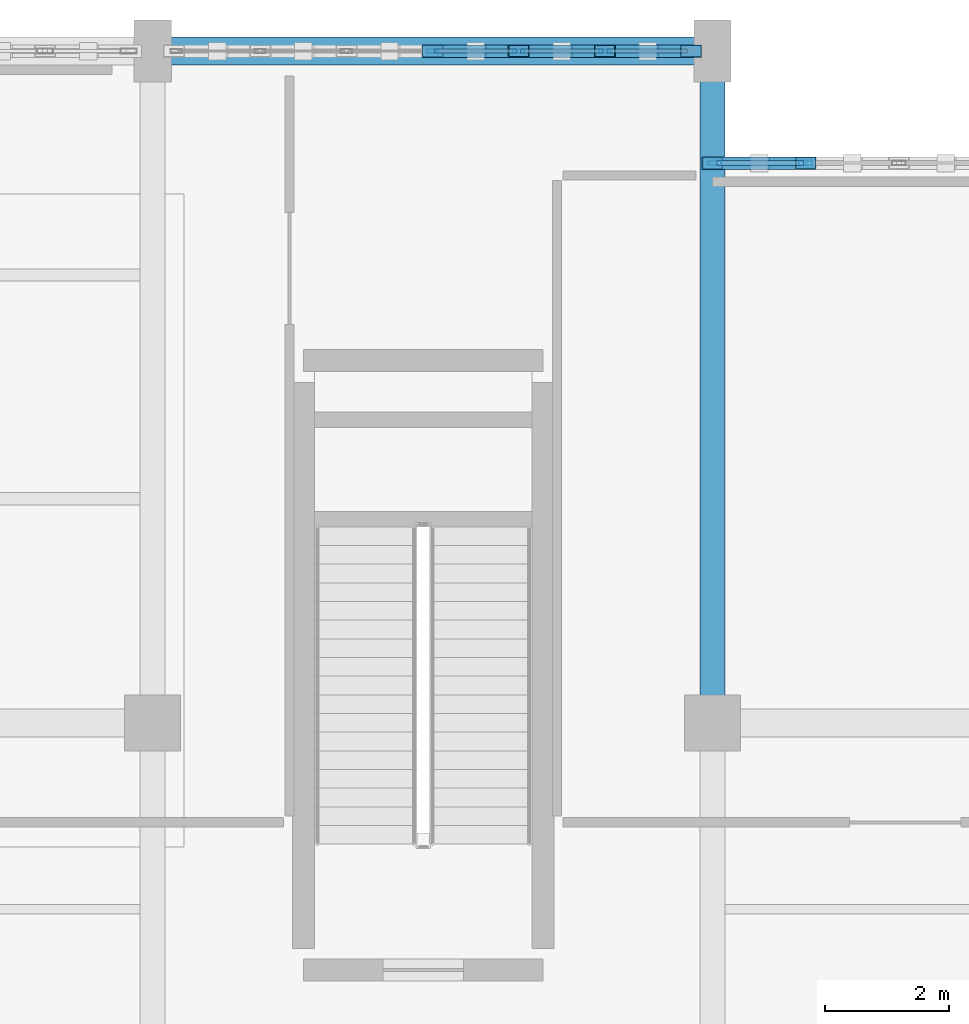
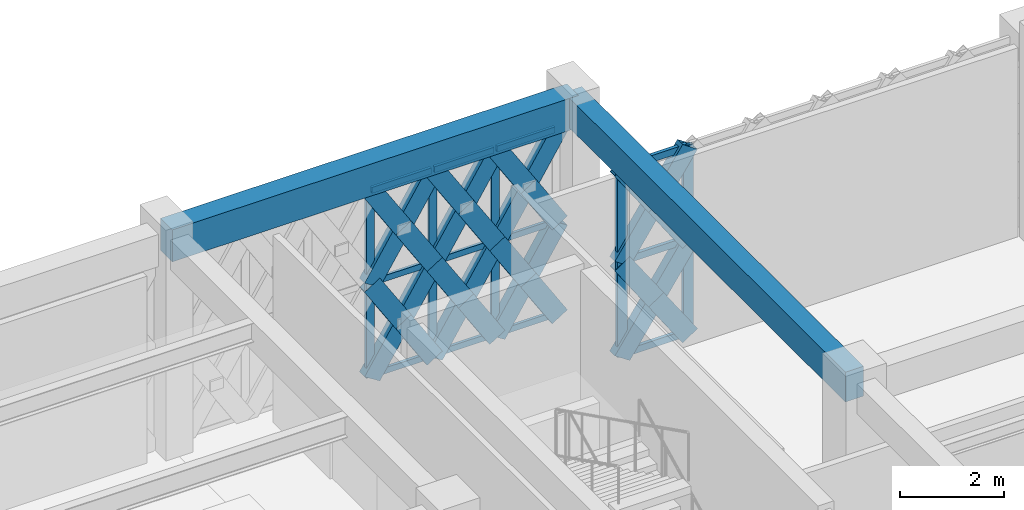
# One storey, part 94 of 166: 41 members, 2 beams, 2 elements without a shape of their own.
"""IFC4 building model written with IfcOpenShell, lengths in metres."""

from ifc_helpers import new_model, si_unit, direction, frame, origin, origin_2d, place, context, subcontext, project, spatial, rectangle, hollow_rectangle, extrude, material, material_profile, profile_set, type_object, element, aggregate, save


model = new_model("IFC4")

# Units and contexts
model_context = context("Model", 3, precision=1e-05, world=origin(), true_north=direction((0.0, 1.0)))
body_context = subcontext(model_context, "Body", "Model", "MODEL_VIEW")
ifc_project = project(units=[si_unit("LENGTHUNIT", "METRE"), si_unit("AREAUNIT", "SQUARE_METRE"), si_unit("VOLUMEUNIT", "CUBIC_METRE"), si_unit("PLANEANGLEUNIT", "RADIAN"), si_unit("MASSUNIT", "GRAM", prefix="KILO")], contexts=[model_context])

# Site, building, storey
site_placement = place(None, origin())
site = spatial("IfcSite", under=ifc_project, at=site_placement, CompositionType="ELEMENT")
building_placement = place(site_placement, origin())
building = spatial("IfcBuilding", under=site, at=building_placement, Name="Haizhuo Lancet Aquarium", CompositionType="ELEMENT")
storey_placement = place(building_placement, frame((0.0, 0.0, 5.39990234375)))
storey = spatial("IfcBuildingStorey", under=building, at=storey_placement, Name="L01", CompositionType="ELEMENT", Elevation=5.39990234375)

# Beams
ifc_material_1 = material(Name="Concrete C40/50", Category="concrete")
ifc_material_profile_1 = material_profile(ifc_material_1, rectangle(XDim=0.39990234375, YDim=0.699951171875, at=origin_2d()), Name="RC-BM 400x700")
ifc_profile_set_1 = profile_set([ifc_material_profile_1], Name="Concrete C40/50")
beam_type_1 = type_object("IfcBeamType", Name="BM-RC-400x700", PredefinedType="BEAM", material=ifc_profile_set_1)
beam_1_placement = place(storey_placement, frame((18.0, 45.0, 4.7900390625), z_axis=(0.0, 1.0, 0.0), x_axis=(-1.0, 0.0, 0.0)))
element("IfcBeam", 1, at=beam_1_placement, inside=storey, type_object=beam_type_1, Name="L01 V5 primary girder BM-L01-V5-030", PredefinedType="BEAM", context=body_context, shape_type="SweptSolid", body=[
    extrude(rectangle(XDim=0.39990234375, YDim=0.699951171875, at=origin_2d()), origin(), (0.0, 0.0, 1.0), 10.800048828125),
])
ifc_material_profile_2 = material_profile(ifc_material_1, rectangle(XDim=0.449951171875, YDim=0.75, at=origin_2d()), Name="RC-BM 450x750")
ifc_profile_set_2 = profile_set([ifc_material_profile_2], Name="Concrete C40/50")
beam_type_2 = type_object("IfcBeamType", Name="BM-RC-450x750", PredefinedType="BEAM", material=ifc_profile_set_2)
beam_2_placement = place(storey_placement, frame((9.0, 55.800048828125, 4.76513671875), z_axis=(1.0, 0.0, 0.0), x_axis=(0.0, 1.0, 0.0)))
element("IfcBeam", 2, at=beam_2_placement, inside=storey, type_object=beam_type_2, Name="L01 V5 primary girder BM-L01-V5-027", PredefinedType="BEAM", context=body_context, shape_type="SweptSolid", body=[
    extrude(rectangle(XDim=0.449951171875, YDim=0.75, at=origin_2d()), origin(), (0.0, 0.0, 1.0), 9.0),
])

# Curtain wall, members
ifc_material_2 = material(Name="Aluminium 6063-T6", Category="aluminium")
curtain_wall_type_1 = type_object("IfcCurtainWallType", Name="CWD-8310x4390", PredefinedType="NOTDEFINED", material=ifc_material_2)
curtain_wall_1_placement = place(storey_placement, origin())
curtain_wall_1 = element("IfcCurtainWall", 3, at=curtain_wall_1_placement, inside=storey, type_object=curtain_wall_type_1, Name="L01 curtain wall CW-V5-L01-133", PredefinedType="NOTDEFINED")
ifc_material_profile_3 = material_profile(ifc_material_2, hollow_rectangle(XDim=0.06494140625, YDim=0.179931640625, WallThickness=0.00390625, at=origin_2d()), Name="ALU-M 65x180x4")
ifc_profile_set_3 = profile_set([ifc_material_profile_3], Name="Aluminium 6063-T6")
member_type_1 = type_object("IfcMemberType", Name="CW-MUL-1", PredefinedType="MULLION", material=ifc_profile_set_3)
member_1_placement = place(storey_placement, frame((13.5, 55.800048828125, 0.0), z_axis=(0.0, 0.0, 1.0), x_axis=(0.0, 1.0, 0.0)))
member_1 = element("IfcMember", 4, at=member_1_placement, type_object=member_type_1, Name="CWD-83x43 mullion 4", PredefinedType="MULLION", context=body_context, shape_type="SweptSolid", body=[
    extrude(hollow_rectangle(XDim=0.06494140625, YDim=0.179931640625, WallThickness=0.00390625, at=origin_2d()), origin(), (0.0, 0.0, 1.0), 4.39013671875),
])
member_2_placement = place(storey_placement, frame((14.885009765625, 55.800048828125, 0.0), z_axis=(0.0, 0.0, 1.0), x_axis=(0.0, 1.0, 0.0)))
member_2 = element("IfcMember", 5, at=member_2_placement, type_object=member_type_1, Name="CWD-83x43 mullion 5", PredefinedType="MULLION", context=body_context, shape_type="SweptSolid", body=[
    extrude(hollow_rectangle(XDim=0.06494140625, YDim=0.179931640625, WallThickness=0.00390625, at=origin_2d()), origin(), (0.0, 0.0, 1.0), 4.39013671875),
])
member_3_placement = place(storey_placement, frame((16.27001953125, 55.800048828125, 0.0), z_axis=(0.0, 0.0, 1.0), x_axis=(0.0, 1.0, 0.0)))
member_3 = element("IfcMember", 6, at=member_3_placement, type_object=member_type_1, Name="CWD-83x43 mullion 6", PredefinedType="MULLION", context=body_context, shape_type="SweptSolid", body=[
    extrude(hollow_rectangle(XDim=0.06494140625, YDim=0.179931640625, WallThickness=0.00390625, at=origin_2d()), origin(), (0.0, 0.0, 1.0), 4.39013671875),
])

curtain_wall_type_2 = type_object("IfcCurtainWallType", Name="CWD-9000x4420", PredefinedType="NOTDEFINED", material=ifc_material_2)
curtain_wall_2_placement = place(storey_placement, origin())
curtain_wall_2 = element("IfcCurtainWall", 7, at=curtain_wall_2_placement, inside=storey, type_object=curtain_wall_type_2, Name="L01 curtain wall CW-V5-L01-134", PredefinedType="NOTDEFINED")
ifc_material_profile_4 = material_profile(ifc_material_2, hollow_rectangle(XDim=0.074951171875, YDim=0.219970703125, WallThickness=0.0048828125, at=origin_2d()), Name="ALU-M 75x220x5")
ifc_profile_set_4 = profile_set([ifc_material_profile_4], Name="Aluminium 6063-T6")
member_type_2 = type_object("IfcMemberType", Name="CW-MUL-2", PredefinedType="MULLION", material=ifc_profile_set_4)
member_4_placement = place(storey_placement, frame((18.0380859375, 54.0, 0.0), z_axis=(0.0, 0.0, 1.0), x_axis=(0.0, 1.0, 0.0)))
member_4 = element("IfcMember", 8, at=member_4_placement, type_object=member_type_2, Name="CWD-90x44 mullion 1", PredefinedType="MULLION", context=body_context, shape_type="SweptSolid", body=[
    extrude(hollow_rectangle(XDim=0.074951171875, YDim=0.219970703125, WallThickness=0.0048828125, at=origin_2d()), origin(), (0.0, 0.0, 1.0), 4.425048828125),
])
member_5_placement = place(storey_placement, frame((19.5, 54.0, 0.0), z_axis=(0.0, 0.0, 1.0), x_axis=(0.0, 1.0, 0.0)))
member_5 = element("IfcMember", 9, at=member_5_placement, type_object=member_type_2, Name="CWD-90x44 mullion 2", PredefinedType="MULLION", context=body_context, shape_type="SweptSolid", body=[
    extrude(hollow_rectangle(XDim=0.074951171875, YDim=0.219970703125, WallThickness=0.0048828125, at=origin_2d()), origin(), (0.0, 0.0, 1.0), 4.425048828125),
])

# Member
ifc_material_profile_5 = material_profile(ifc_material_2, hollow_rectangle(XDim=0.06494140625, YDim=0.139892578125, WallThickness=0.00390625, at=origin_2d()), Name="ALU-T 65x140x4")
ifc_profile_set_5 = profile_set([ifc_material_profile_5], Name="Aluminium 6063-T6")
member_type_3 = type_object("IfcMemberType", Name="CW-TRN-1", PredefinedType="NOTDEFINED", material=ifc_profile_set_5)
member_6_placement = place(storey_placement, frame((13.532958984375, 55.800048828125, 0.033203125), z_axis=(1.0, 0.0, 0.0), x_axis=(0.0, 1.0, 0.0)))
member_6 = element("IfcMember", 10, at=member_6_placement, type_object=member_type_3, Name="CWD-83x43 transom 4.1", ObjectType="TRANSOM", PredefinedType="USERDEFINED", context=body_context, shape_type="SweptSolid", body=[
    extrude(hollow_rectangle(XDim=0.06494140625, YDim=0.139892578125, WallThickness=0.00390625, at=origin_2d()), origin(), (0.0, 0.0, 1.0), 1.320068359375),
])

member_7_placement = place(storey_placement, frame((13.532958984375, 55.800048828125, 2.195068359375), z_axis=(1.0, 0.0, 0.0), x_axis=(0.0, 1.0, 0.0)))
member_7 = element("IfcMember", 11, at=member_7_placement, type_object=member_type_3, Name="CWD-83x43 transom 4.2", ObjectType="TRANSOM", PredefinedType="USERDEFINED", context=body_context, shape_type="SweptSolid", body=[
    extrude(hollow_rectangle(XDim=0.06494140625, YDim=0.139892578125, WallThickness=0.00390625, at=origin_2d()), origin(), (0.0, 0.0, 1.0), 1.320068359375),
])

member_8_placement = place(storey_placement, frame((13.532958984375, 55.800048828125, 4.357177734375), z_axis=(1.0, 0.0, 0.0), x_axis=(0.0, 1.0, 0.0)))
member_8 = element("IfcMember", 12, at=member_8_placement, type_object=member_type_3, Name="CWD-83x43 transom 4.3", ObjectType="TRANSOM", PredefinedType="USERDEFINED", context=body_context, shape_type="SweptSolid", body=[
    extrude(hollow_rectangle(XDim=0.06494140625, YDim=0.139892578125, WallThickness=0.00390625, at=origin_2d()), origin(), (0.0, 0.0, 1.0), 1.320068359375),
])

member_9_placement = place(storey_placement, frame((14.91796875, 55.800048828125, 0.033203125), z_axis=(1.0, 0.0, 0.0), x_axis=(0.0, 1.0, 0.0)))
member_9 = element("IfcMember", 13, at=member_9_placement, type_object=member_type_3, Name="CWD-83x43 transom 5.1", ObjectType="TRANSOM", PredefinedType="USERDEFINED", context=body_context, shape_type="SweptSolid", body=[
    extrude(hollow_rectangle(XDim=0.06494140625, YDim=0.139892578125, WallThickness=0.00390625, at=origin_2d()), origin(), (0.0, 0.0, 1.0), 1.320068359375),
])

member_10_placement = place(storey_placement, frame((14.91796875, 55.800048828125, 2.195068359375), z_axis=(1.0, 0.0, 0.0), x_axis=(0.0, 1.0, 0.0)))
member_10 = element("IfcMember", 14, at=member_10_placement, type_object=member_type_3, Name="CWD-83x43 transom 5.2", ObjectType="TRANSOM", PredefinedType="USERDEFINED", context=body_context, shape_type="SweptSolid", body=[
    extrude(hollow_rectangle(XDim=0.06494140625, YDim=0.139892578125, WallThickness=0.00390625, at=origin_2d()), origin(), (0.0, 0.0, 1.0), 1.320068359375),
])

member_11_placement = place(storey_placement, frame((14.91796875, 55.800048828125, 4.357177734375), z_axis=(1.0, 0.0, 0.0), x_axis=(0.0, 1.0, 0.0)))
member_11 = element("IfcMember", 15, at=member_11_placement, type_object=member_type_3, Name="CWD-83x43 transom 5.3", ObjectType="TRANSOM", PredefinedType="USERDEFINED", context=body_context, shape_type="SweptSolid", body=[
    extrude(hollow_rectangle(XDim=0.06494140625, YDim=0.139892578125, WallThickness=0.00390625, at=origin_2d()), origin(), (0.0, 0.0, 1.0), 1.320068359375),
])

member_12_placement = place(storey_placement, frame((16.302978515625, 55.800048828125, 0.033203125), z_axis=(1.0, 0.0, 0.0), x_axis=(0.0, 1.0, 0.0)))
member_12 = element("IfcMember", 16, at=member_12_placement, type_object=member_type_3, Name="CWD-83x43 transom 6.1", ObjectType="TRANSOM", PredefinedType="USERDEFINED", context=body_context, shape_type="SweptSolid", body=[
    extrude(hollow_rectangle(XDim=0.06494140625, YDim=0.139892578125, WallThickness=0.00390625, at=origin_2d()), origin(), (0.0, 0.0, 1.0), 1.287109375),
])

member_13_placement = place(storey_placement, frame((16.302978515625, 55.800048828125, 2.195068359375), z_axis=(1.0, 0.0, 0.0), x_axis=(0.0, 1.0, 0.0)))
member_13 = element("IfcMember", 17, at=member_13_placement, type_object=member_type_3, Name="CWD-83x43 transom 6.2", ObjectType="TRANSOM", PredefinedType="USERDEFINED", context=body_context, shape_type="SweptSolid", body=[
    extrude(hollow_rectangle(XDim=0.06494140625, YDim=0.139892578125, WallThickness=0.00390625, at=origin_2d()), origin(), (0.0, 0.0, 1.0), 1.287109375),
])

member_14_placement = place(storey_placement, frame((16.302978515625, 55.800048828125, 4.357177734375), z_axis=(1.0, 0.0, 0.0), x_axis=(0.0, 1.0, 0.0)))
member_14 = element("IfcMember", 18, at=member_14_placement, type_object=member_type_3, Name="CWD-83x43 transom 6.3", ObjectType="TRANSOM", PredefinedType="USERDEFINED", context=body_context, shape_type="SweptSolid", body=[
    extrude(hollow_rectangle(XDim=0.06494140625, YDim=0.139892578125, WallThickness=0.00390625, at=origin_2d()), origin(), (0.0, 0.0, 1.0), 1.287109375),
])

aggregate(curtain_wall_1, [member_1, member_2, member_3, member_6, member_7, member_8, member_9, member_10, member_11, member_12, member_13, member_14])

ifc_material_profile_6 = material_profile(ifc_material_2, hollow_rectangle(XDim=0.074951171875, YDim=0.159912109375, WallThickness=0.00390625, at=origin_2d()), Name="ALU-T 75x160x4")
ifc_profile_set_6 = profile_set([ifc_material_profile_6], Name="Aluminium 6063-T6")
member_type_4 = type_object("IfcMemberType", Name="CW-TRN-2", PredefinedType="NOTDEFINED", material=ifc_profile_set_6)
member_15_placement = place(storey_placement, frame((18.074951171875, 54.0, 0.0380859375), z_axis=(1.0, 0.0, 0.0), x_axis=(0.0, 1.0, 0.0)))
member_15 = element("IfcMember", 19, at=member_15_placement, type_object=member_type_4, Name="CWD-90x44 transom 1.1", ObjectType="TRANSOM", PredefinedType="USERDEFINED", context=body_context, shape_type="SweptSolid", body=[
    extrude(hollow_rectangle(XDim=0.074951171875, YDim=0.159912109375, WallThickness=0.00390625, at=origin_2d()), origin(), (0.0, 0.0, 1.0), 1.386962890625),
])

member_16_placement = place(storey_placement, frame((18.074951171875, 54.0, 2.212158203125), z_axis=(1.0, 0.0, 0.0), x_axis=(0.0, 1.0, 0.0)))
member_16 = element("IfcMember", 20, at=member_16_placement, type_object=member_type_4, Name="CWD-90x44 transom 1.2", ObjectType="TRANSOM", PredefinedType="USERDEFINED", context=body_context, shape_type="SweptSolid", body=[
    extrude(hollow_rectangle(XDim=0.074951171875, YDim=0.159912109375, WallThickness=0.00390625, at=origin_2d()), origin(), (0.0, 0.0, 1.0), 1.386962890625),
])

member_17_placement = place(storey_placement, frame((18.074951171875, 54.0, 4.38720703125), z_axis=(1.0, 0.0, 0.0), x_axis=(0.0, 1.0, 0.0)))
member_17 = element("IfcMember", 21, at=member_17_placement, type_object=member_type_4, Name="CWD-90x44 transom 1.3", ObjectType="TRANSOM", PredefinedType="USERDEFINED", context=body_context, shape_type="SweptSolid", body=[
    extrude(hollow_rectangle(XDim=0.074951171875, YDim=0.159912109375, WallThickness=0.00390625, at=origin_2d()), origin(), (0.0, 0.0, 1.0), 1.386962890625),
])

aggregate(curtain_wall_2, [member_4, member_5, member_15, member_16, member_17])

# Members
ifc_material_3 = material(Name="Steel S355", Category="steel")
ifc_material_profile_7 = material_profile(ifc_material_3, hollow_rectangle(XDim=0.199951171875, YDim=0.39990234375, WallThickness=0.011962890625, at=origin_2d()), Name="RHS 200x400x12")
ifc_profile_set_7 = profile_set([ifc_material_profile_7], Name="Steel S355")
member_type_5 = type_object("IfcMemberType", Name="MEM-LB-RHS200x400", PredefinedType="BRACE", material=ifc_profile_set_7)
member_18_placement = place(storey_placement, frame((13.5, 55.800048828125, 0.0), z_axis=(0.533621343044, 0.0, 0.845723514068), x_axis=(0.0, 1.0, 0.0)))
element("IfcMember", 22, at=member_18_placement, inside=storey, type_object=member_type_5, Name="Gothic lancet continuous diagonal brace CW-V5-L01-133 7A", PredefinedType="BRACE", context=body_context, shape_type="SweptSolid", body=[
    extrude(hollow_rectangle(XDim=0.199951171875, YDim=0.39990234375, WallThickness=0.011962890625, at=origin_2d()), origin(), (0.0, 0.0, 1.0), 2.595458984375),
])
member_19_placement = place(storey_placement, frame((14.885009765625, 55.800048828125, 0.0), z_axis=(-0.533745397925, 0.0, 0.845645227146), x_axis=(0.0, -1.0, 0.0)))
element("IfcMember", 23, at=member_19_placement, inside=storey, type_object=member_type_5, Name="Gothic lancet split diagonal brace CW-V5-L01-133 7B1", PredefinedType="BRACE", context=body_context, shape_type="SweptSolid", body=[
    extrude(hollow_rectangle(XDim=0.199951171875, YDim=0.39990234375, WallThickness=0.011962890625, at=origin_2d()), origin(), (0.0, 0.0, 1.0), 1.298583984375),
])
member_20_placement = place(storey_placement, frame((14.19189453125, 55.800048828125, 1.09814453125), z_axis=(-0.533497115598, 0.0, 0.845801884397), x_axis=(0.0, -1.0, 0.0)))
element("IfcMember", 24, at=member_20_placement, inside=storey, type_object=member_type_5, Name="Gothic lancet split diagonal brace CW-V5-L01-133 7B2", PredefinedType="BRACE", context=body_context, shape_type="SweptSolid", body=[
    extrude(hollow_rectangle(XDim=0.199951171875, YDim=0.39990234375, WallThickness=0.011962890625, at=origin_2d()), origin(), (0.0, 0.0, 1.0), 1.296875),
])
member_21_placement = place(storey_placement, frame((13.5, 55.800048828125, 2.195068359375), z_axis=(0.533621343044, 0.0, 0.845723514068), x_axis=(0.0, 1.0, 0.0)))
element("IfcMember", 25, at=member_21_placement, inside=storey, type_object=member_type_5, Name="Gothic lancet continuous diagonal brace CW-V5-L01-133 8A", PredefinedType="BRACE", context=body_context, shape_type="SweptSolid", body=[
    extrude(hollow_rectangle(XDim=0.199951171875, YDim=0.39990234375, WallThickness=0.011962890625, at=origin_2d()), origin(), (0.0, 0.0, 1.0), 2.595458984375),
])
member_22_placement = place(storey_placement, frame((14.885009765625, 55.800048828125, 2.195068359375), z_axis=(-0.534169956473, 0.0, 0.845377109698), x_axis=(0.0, -1.0, 0.0)))
element("IfcMember", 26, at=member_22_placement, inside=storey, type_object=member_type_5, Name="Gothic lancet split diagonal brace CW-V5-L01-133 8B1", PredefinedType="BRACE", context=body_context, shape_type="SweptSolid", body=[
    extrude(hollow_rectangle(XDim=0.199951171875, YDim=0.39990234375, WallThickness=0.011962890625, at=origin_2d()), origin(), (0.0, 0.0, 1.0), 1.297607421875),
])
member_23_placement = place(storey_placement, frame((14.19189453125, 55.800048828125, 3.2919921875), z_axis=(-0.533072666109, 0.0, 0.846069460888), x_axis=(0.0, -1.0, 0.0)))
element("IfcMember", 27, at=member_23_placement, inside=storey, type_object=member_type_5, Name="Gothic lancet split diagonal brace CW-V5-L01-133 8B2", PredefinedType="BRACE", context=body_context, shape_type="SweptSolid", body=[
    extrude(hollow_rectangle(XDim=0.199951171875, YDim=0.39990234375, WallThickness=0.011962890625, at=origin_2d()), origin(), (0.0, 0.0, 1.0), 1.2978515625),
])
member_24_placement = place(storey_placement, frame((14.885009765625, 55.800048828125, 0.0), z_axis=(0.533621343044, 0.0, 0.845723514068), x_axis=(0.0, 1.0, 0.0)))
element("IfcMember", 28, at=member_24_placement, inside=storey, type_object=member_type_5, Name="Gothic lancet continuous diagonal brace CW-V5-L01-133 9A", PredefinedType="BRACE", context=body_context, shape_type="SweptSolid", body=[
    extrude(hollow_rectangle(XDim=0.199951171875, YDim=0.39990234375, WallThickness=0.011962890625, at=origin_2d()), origin(), (0.0, 0.0, 1.0), 2.595458984375),
])
member_25_placement = place(storey_placement, frame((16.27001953125, 55.800048828125, 0.0), z_axis=(-0.533207293455, 0.0, 0.845984622914), x_axis=(0.0, -1.0, 0.0)))
element("IfcMember", 29, at=member_25_placement, inside=storey, type_object=member_type_5, Name="Gothic lancet split diagonal brace CW-V5-L01-133 9B1", PredefinedType="BRACE", context=body_context, shape_type="SweptSolid", body=[
    extrude(hollow_rectangle(XDim=0.199951171875, YDim=0.39990234375, WallThickness=0.011962890625, at=origin_2d()), origin(), (0.0, 0.0, 1.0), 1.298095703125),
])
member_26_placement = place(storey_placement, frame((15.577880859375, 55.800048828125, 1.09814453125), z_axis=(-0.534035469411, 0.0, 0.845462073313), x_axis=(0.0, -1.0, 0.0)))
element("IfcMember", 30, at=member_26_placement, inside=storey, type_object=member_type_5, Name="Gothic lancet split diagonal brace CW-V5-L01-133 9B2", PredefinedType="BRACE", context=body_context, shape_type="SweptSolid", body=[
    extrude(hollow_rectangle(XDim=0.199951171875, YDim=0.39990234375, WallThickness=0.011962890625, at=origin_2d()), origin(), (0.0, 0.0, 1.0), 1.29736328125),
])
member_27_placement = place(storey_placement, frame((14.885009765625, 55.800048828125, 2.195068359375), z_axis=(0.533621343044, 0.0, 0.845723514068), x_axis=(0.0, 1.0, 0.0)))
element("IfcMember", 31, at=member_27_placement, inside=storey, type_object=member_type_5, Name="Gothic lancet continuous diagonal brace CW-V5-L01-133 10A", PredefinedType="BRACE", context=body_context, shape_type="SweptSolid", body=[
    extrude(hollow_rectangle(XDim=0.199951171875, YDim=0.39990234375, WallThickness=0.011962890625, at=origin_2d()), origin(), (0.0, 0.0, 1.0), 2.595458984375),
])
member_28_placement = place(storey_placement, frame((16.27001953125, 55.800048828125, 2.195068359375), z_axis=(-0.533631764898, 0.0, 0.845716938161), x_axis=(0.0, -1.0, 0.0)))
element("IfcMember", 32, at=member_28_placement, inside=storey, type_object=member_type_5, Name="Gothic lancet split diagonal brace CW-V5-L01-133 10B1", PredefinedType="BRACE", context=body_context, shape_type="SweptSolid", body=[
    extrude(hollow_rectangle(XDim=0.199951171875, YDim=0.39990234375, WallThickness=0.011962890625, at=origin_2d()), origin(), (0.0, 0.0, 1.0), 1.297119140625),
])
member_29_placement = place(storey_placement, frame((15.577880859375, 55.800048828125, 3.2919921875), z_axis=(-0.533610932533, 0.0, 0.84573008264), x_axis=(0.0, -1.0, 0.0)))
element("IfcMember", 33, at=member_29_placement, inside=storey, type_object=member_type_5, Name="Gothic lancet split diagonal brace CW-V5-L01-133 10B2", PredefinedType="BRACE", context=body_context, shape_type="SweptSolid", body=[
    extrude(hollow_rectangle(XDim=0.199951171875, YDim=0.39990234375, WallThickness=0.011962890625, at=origin_2d()), origin(), (0.0, 0.0, 1.0), 1.29833984375),
])
member_30_placement = place(storey_placement, frame((16.27001953125, 55.800048828125, 0.0), z_axis=(0.533621343044, 0.0, 0.845723514068), x_axis=(0.0, 1.0, 0.0)))
element("IfcMember", 34, at=member_30_placement, inside=storey, type_object=member_type_5, Name="Gothic lancet continuous diagonal brace CW-V5-L01-133 11A", PredefinedType="BRACE", context=body_context, shape_type="SweptSolid", body=[
    extrude(hollow_rectangle(XDim=0.199951171875, YDim=0.39990234375, WallThickness=0.011962890625, at=origin_2d()), origin(), (0.0, 0.0, 1.0), 2.595458984375),
])
member_31_placement = place(storey_placement, frame((17.655029296875, 55.800048828125, 0.0), z_axis=(-0.533745397925, 0.0, 0.845645227146), x_axis=(0.0, -1.0, 0.0)))
element("IfcMember", 35, at=member_31_placement, inside=storey, type_object=member_type_5, Name="Gothic lancet split diagonal brace CW-V5-L01-133 11B1", PredefinedType="BRACE", context=body_context, shape_type="SweptSolid", body=[
    extrude(hollow_rectangle(XDim=0.199951171875, YDim=0.39990234375, WallThickness=0.011962890625, at=origin_2d()), origin(), (0.0, 0.0, 1.0), 1.298583984375),
])
member_32_placement = place(storey_placement, frame((16.9619140625, 55.800048828125, 1.09814453125), z_axis=(-0.533497115598, 0.0, 0.845801884397), x_axis=(0.0, -1.0, 0.0)))
element("IfcMember", 36, at=member_32_placement, inside=storey, type_object=member_type_5, Name="Gothic lancet split diagonal brace CW-V5-L01-133 11B2", PredefinedType="BRACE", context=body_context, shape_type="SweptSolid", body=[
    extrude(hollow_rectangle(XDim=0.199951171875, YDim=0.39990234375, WallThickness=0.011962890625, at=origin_2d()), origin(), (0.0, 0.0, 1.0), 1.296875),
])
member_33_placement = place(storey_placement, frame((16.27001953125, 55.800048828125, 2.195068359375), z_axis=(0.533621343044, 0.0, 0.845723514068), x_axis=(0.0, 1.0, 0.0)))
element("IfcMember", 37, at=member_33_placement, inside=storey, type_object=member_type_5, Name="Gothic lancet continuous diagonal brace CW-V5-L01-133 12A", PredefinedType="BRACE", context=body_context, shape_type="SweptSolid", body=[
    extrude(hollow_rectangle(XDim=0.199951171875, YDim=0.39990234375, WallThickness=0.011962890625, at=origin_2d()), origin(), (0.0, 0.0, 1.0), 2.595458984375),
])
member_34_placement = place(storey_placement, frame((17.655029296875, 55.800048828125, 2.195068359375), z_axis=(-0.534169956473, 0.0, 0.845377109698), x_axis=(0.0, -1.0, 0.0)))
element("IfcMember", 38, at=member_34_placement, inside=storey, type_object=member_type_5, Name="Gothic lancet split diagonal brace CW-V5-L01-133 12B1", PredefinedType="BRACE", context=body_context, shape_type="SweptSolid", body=[
    extrude(hollow_rectangle(XDim=0.199951171875, YDim=0.39990234375, WallThickness=0.011962890625, at=origin_2d()), origin(), (0.0, 0.0, 1.0), 1.297607421875),
])
member_35_placement = place(storey_placement, frame((16.9619140625, 55.800048828125, 3.2919921875), z_axis=(-0.533072666109, 0.0, 0.846069460888), x_axis=(0.0, -1.0, 0.0)))
element("IfcMember", 39, at=member_35_placement, inside=storey, type_object=member_type_5, Name="Gothic lancet split diagonal brace CW-V5-L01-133 12B2", PredefinedType="BRACE", context=body_context, shape_type="SweptSolid", body=[
    extrude(hollow_rectangle(XDim=0.199951171875, YDim=0.39990234375, WallThickness=0.011962890625, at=origin_2d()), origin(), (0.0, 0.0, 1.0), 1.2978515625),
])
member_36_placement = place(storey_placement, frame((18.0, 54.0, 0.0), z_axis=(0.56121770031, 0.0, 0.82766822632), x_axis=(0.0, 1.0, 0.0)))
element("IfcMember", 40, at=member_36_placement, inside=storey, type_object=member_type_5, Name="Gothic lancet continuous diagonal brace CW-V5-L01-134 1A", PredefinedType="BRACE", context=body_context, shape_type="SweptSolid", body=[
    extrude(hollow_rectangle(XDim=0.199951171875, YDim=0.39990234375, WallThickness=0.011962890625, at=origin_2d()), origin(), (0.0, 0.0, 1.0), 2.6728515625),
])
member_37_placement = place(storey_placement, frame((19.5, 54.0, 0.0), z_axis=(-0.561175273292, 0.0, 0.827696993257), x_axis=(0.0, -1.0, 0.0)))
element("IfcMember", 41, at=member_37_placement, inside=storey, type_object=member_type_5, Name="Gothic lancet split diagonal brace CW-V5-L01-134 1B1", PredefinedType="BRACE", context=body_context, shape_type="SweptSolid", body=[
    extrude(hollow_rectangle(XDim=0.199951171875, YDim=0.39990234375, WallThickness=0.011962890625, at=origin_2d()), origin(), (0.0, 0.0, 1.0), 1.33642578125),
])
member_38_placement = place(storey_placement, frame((18.75, 54.0, 1.106201171875), z_axis=(-0.561260132269, 0.0, 0.827639452857), x_axis=(0.0, -1.0, 0.0)))
element("IfcMember", 42, at=member_38_placement, inside=storey, type_object=member_type_5, Name="Gothic lancet split diagonal brace CW-V5-L01-134 1B2", PredefinedType="BRACE", context=body_context, shape_type="SweptSolid", body=[
    extrude(hollow_rectangle(XDim=0.199951171875, YDim=0.39990234375, WallThickness=0.011962890625, at=origin_2d()), origin(), (0.0, 0.0, 1.0), 1.336181640625),
])
member_39_placement = place(storey_placement, frame((18.0, 54.0, 2.212158203125), z_axis=(0.561090434075, 0.0, 0.827754507562), x_axis=(0.0, 1.0, 0.0)))
element("IfcMember", 43, at=member_39_placement, inside=storey, type_object=member_type_5, Name="Gothic lancet continuous diagonal brace CW-V5-L01-134 2A", PredefinedType="BRACE", context=body_context, shape_type="SweptSolid", body=[
    extrude(hollow_rectangle(XDim=0.199951171875, YDim=0.39990234375, WallThickness=0.011962890625, at=origin_2d()), origin(), (0.0, 0.0, 1.0), 2.67333984375),
])
member_40_placement = place(storey_placement, frame((19.5, 54.0, 2.212158203125), z_axis=(-0.561260132269, 0.0, 0.827639452857), x_axis=(0.0, -1.0, 0.0)))
element("IfcMember", 44, at=member_40_placement, inside=storey, type_object=member_type_5, Name="Gothic lancet split diagonal brace CW-V5-L01-134 2B1", PredefinedType="BRACE", context=body_context, shape_type="SweptSolid", body=[
    extrude(hollow_rectangle(XDim=0.199951171875, YDim=0.39990234375, WallThickness=0.011962890625, at=origin_2d()), origin(), (0.0, 0.0, 1.0), 1.336181640625),
])
member_41_placement = place(storey_placement, frame((18.75, 54.0, 3.318115234375), z_axis=(-0.560920814911, 0.0, 0.827869457946), x_axis=(0.0, -1.0, 0.0)))
element("IfcMember", 45, at=member_41_placement, inside=storey, type_object=member_type_5, Name="Gothic lancet split diagonal brace CW-V5-L01-134 2B2", PredefinedType="BRACE", context=body_context, shape_type="SweptSolid", body=[
    extrude(hollow_rectangle(XDim=0.199951171875, YDim=0.39990234375, WallThickness=0.011962890625, at=origin_2d()), origin(), (0.0, 0.0, 1.0), 1.337158203125),
])

save(model, "model.ifc")
